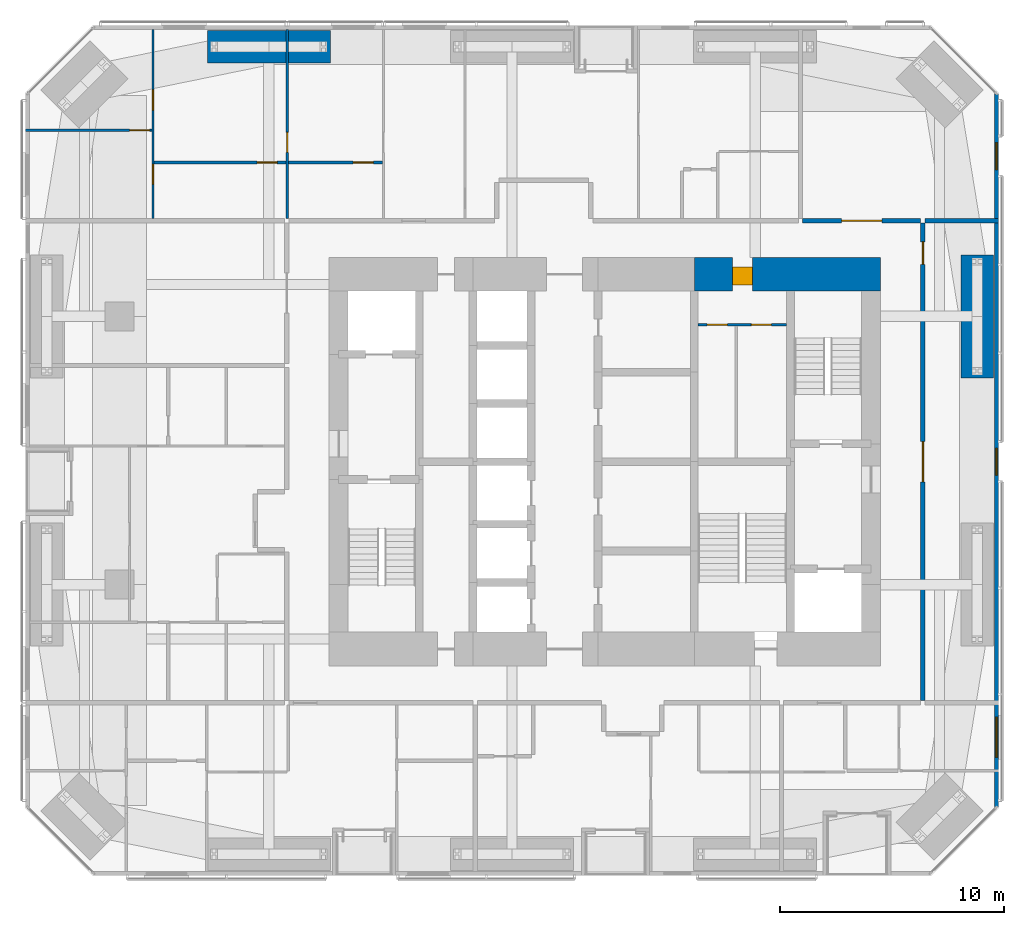
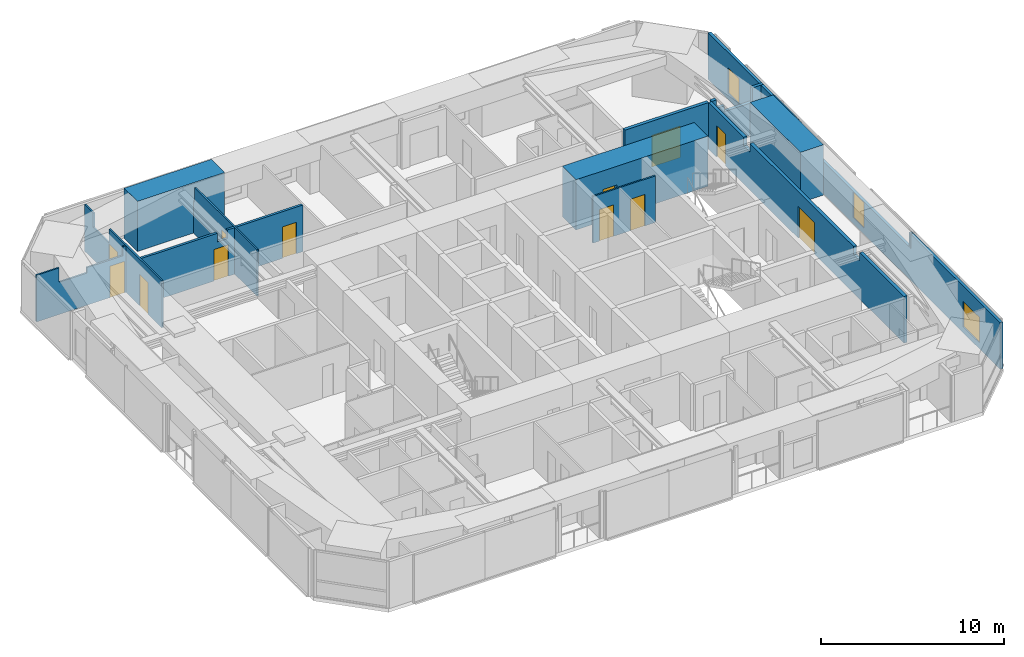
# One storey, part 21 of 23: 13 walls, 12 doors, 3 windows, 15 openings.
"""IFC4 building model written with IfcOpenShell, lengths in metres."""

from ifc_helpers import new_model, si_unit, direction, frame, frame_2d, origin, place, context, subcontext, project, spatial, polyline, rectangle, outline, extrude, material, layer, layer_set, constituent, constituent_set, type_object, element, fill, save


model = new_model("IFC4")

# Units and contexts
model_context = context("Model", 3, precision=1e-05, world=origin(), true_north=direction((0.0, 1.0)))
body_context = subcontext(model_context, "Body", "Model", "MODEL_VIEW")
ifc_project = project(units=[si_unit("LENGTHUNIT", "METRE"), si_unit("AREAUNIT", "SQUARE_METRE"), si_unit("VOLUMEUNIT", "CUBIC_METRE"), si_unit("PLANEANGLEUNIT", "RADIAN"), si_unit("MASSUNIT", "GRAM", prefix="KILO")], contexts=[model_context])

# Site, building, storey
site_placement = place(None, origin())
site = spatial("IfcSite", under=ifc_project, at=site_placement, CompositionType="ELEMENT")
building_placement = place(site_placement, origin())
building = spatial("IfcBuilding", under=site, at=building_placement, Name="Jalousie Tower", CompositionType="ELEMENT")
storey_placement = place(building_placement, frame((0.0, 0.0, 108.199951171875)))
storey = spatial("IfcBuildingStorey", under=building, at=storey_placement, Name="L29", CompositionType="ELEMENT", Elevation=108.199951171875)

# Wall, opening, door
ifc_material_1 = material(Name="Concrete block ASTM C90", Category="concrete")
ifc_constituent_1 = constituent(ifc_material_1, Name="Body")
ifc_material_2 = material(Name="Render")
ifc_constituent_2 = constituent(ifc_material_2, Name="Finish")
ifc_constituent_set_1 = constituent_set(constituents=[ifc_constituent_1, ifc_constituent_2])
wall_type_1 = type_object("IfcWallType", Name="BATHROOM WALL 150", PredefinedType="PLUMBINGWALL", material=ifc_constituent_set_1)
wall_1_placement = place(storey_placement, frame((11.75, 31.875, 0.0), z_axis=(0.0, 0.0, 1.0), x_axis=(1.0, 0.0, 0.0)))
wall_1 = element("IfcWall", 1, at=wall_1_placement, inside=storey, type_object=wall_type_1, Name="Bathroom Wall 150 L29", PredefinedType="PLUMBINGWALL", context=body_context, shape_type="SweptSolid", body=[
    extrude(outline(polyline([(0.0, 0.0), (5.89990234375, 0.0), (5.89990234375, 3.110107421875), (5.4375, 3.110107421875), (5.4375, 2.541015625), (4.8125, 2.541015625), (4.8125, 3.110107421875), (0.0, 3.110107421875), (0.0, 0.0)])), frame((0.0, 0.074951171875, 0.0), z_axis=(0.0, -1.0, 0.0), x_axis=(1.0, 0.0, 0.0)), (0.0, 0.0, 1.0), 0.14990234375),
])
opening_1_placement = place(wall_1_placement, frame((4.60009765625, 0.0, 0.0)))
opening_1 = element("IfcOpeningElement", 2, at=opening_1_placement, cuts=wall_1, Name="Opening D3", PredefinedType="OPENING", context=body_context, shape_type="SweptSolid", body=[
    extrude(rectangle(XDim=0.89990234375, YDim=2.10009765625, at=frame_2d((0.449951171875, 1.050048828125))), frame((0.0, 0.0849609375, 0.0), z_axis=(0.0, -1.0, 0.0), x_axis=(1.0, 0.0, 0.0)), (0.0, 0.0, 1.0), 0.169921875),
])
ifc_material_3 = material(Name="Timber door", Category="wood")
door_type_1 = type_object("IfcDoorType", Name="BATHROOM DOOR 900", OperationType="SINGLE_SWING_LEFT", PredefinedType="DOOR", material=ifc_material_3)
door_1_placement = place(opening_1_placement, frame((0.89990234375, 0.0, 0.0), z_axis=(0.0, 0.0, 1.0), x_axis=(-1.0, 0.0, 0.0)))
door_1 = element("IfcDoor", 3, at=door_1_placement, inside=storey, type_object=door_type_1, Name="Apartment 2904 bedroom 2 bathroom door", OperationType="SINGLE_SWING_LEFT", OverallHeight=2.10009765625, OverallWidth=0.89990234375, PredefinedType="DOOR", context=body_context, shape_type="SweptSolid", body=[
    extrude(rectangle(XDim=0.89990234375, YDim=2.10009765625, at=frame_2d((0.449951171875, 1.050048828125))), frame((0.0, 0.02490234375, 0.0), z_axis=(0.0, -1.0, 0.0), x_axis=(1.0, 0.0, 0.0)), (0.0, 0.0, 1.0), 0.050048828125),
])
fill(opening_1, door_1)

wall_2_placement = place(storey_placement, frame((17.75, 31.875, 0.0), z_axis=(0.0, 0.0, 1.0), x_axis=(1.0, 0.0, 0.0)))
wall_2 = element("IfcWall", 4, at=wall_2_placement, inside=storey, type_object=wall_type_1, Name="Bathroom Wall 150 L29", PredefinedType="PLUMBINGWALL", context=body_context, shape_type="SweptSolid", body=[
    extrude(rectangle(XDim=4.199951171875, YDim=0.14990234375, at=frame_2d((2.10009765625, 0.0))), origin(), (0.0, 0.0, 1.0), 3.110107421875),
])
opening_2_placement = place(wall_2_placement, frame((2.89990234375, 0.0, 0.0)))
opening_2 = element("IfcOpeningElement", 5, at=opening_2_placement, cuts=wall_2, Name="Opening D3", PredefinedType="OPENING", context=body_context, shape_type="SweptSolid", body=[
    extrude(rectangle(XDim=0.89990234375, YDim=2.10009765625, at=frame_2d((0.449951171875, 1.050048828125))), frame((0.0, 0.0849609375, 0.0), z_axis=(0.0, -1.0, 0.0), x_axis=(1.0, 0.0, 0.0)), (0.0, 0.0, 1.0), 0.169921875),
])
door_2_placement = place(opening_2_placement, frame((0.89990234375, 0.0, 0.0), z_axis=(0.0, 0.0, 1.0), x_axis=(-1.0, 0.0, 0.0)))
door_2 = element("IfcDoor", 6, at=door_2_placement, inside=storey, type_object=door_type_1, Name="Apartment 2904 bedroom 3 bathroom door", OperationType="SINGLE_SWING_LEFT", OverallHeight=2.10009765625, OverallWidth=0.89990234375, PredefinedType="DOOR", context=body_context, shape_type="SweptSolid", body=[
    extrude(rectangle(XDim=0.89990234375, YDim=2.10009765625, at=frame_2d((0.449951171875, 1.050048828125))), frame((0.0, 0.02490234375, 0.0), z_axis=(0.0, -1.0, 0.0), x_axis=(1.0, 0.0, 0.0)), (0.0, 0.0, 1.0), 0.050048828125),
])
fill(opening_2, door_2)

ifc_material_4 = material(Name="Concrete f'c 120 MPa", Category="concrete")
ifc_layer_1 = layer(ifc_material_4, 1.5)
ifc_layer_set_1 = layer_set([ifc_layer_1], Name="Concrete f'c 120 MPa")
wall_type_2 = type_object("IfcWallType", Name="CORE WALL 1500", PredefinedType="SHEAR", material=ifc_layer_set_1)
wall_3_placement = place(storey_placement, frame((44.22509765625, 26.875, 0.0), z_axis=(0.0, 0.0, 1.0), x_axis=(-1.0, 0.0, 0.0)))
wall_3 = element("IfcWall", 7, at=wall_3_placement, inside=storey, type_object=wall_type_2, Name="Core wall NA L29", PredefinedType="SHEAR", context=body_context, shape_type="SweptSolid", body=[
    extrude(rectangle(XDim=8.3251953125, YDim=1.5, at=frame_2d((4.16259765625, 0.0))), origin(), (0.0, 0.0, 1.0), 3.35009765625),
])
opening_3_placement = place(wall_3_placement, frame((5.72509765625, 0.0, 0.0)))
opening_3 = element("IfcOpeningElement", 8, at=opening_3_placement, cuts=wall_3, Name="Opening D25", PredefinedType="OPENING", context=body_context, shape_type="SweptSolid", body=[
    extrude(rectangle(XDim=0.89990234375, YDim=2.10009765625, at=frame_2d((0.449951171875, 1.050048828125))), frame((0.0, 0.760009765625, 0.0), z_axis=(0.0, -1.0, 0.0), x_axis=(1.0, 0.0, 0.0)), (0.0, 0.0, 1.0), 1.52001953125),
])
ifc_material_5 = material(Name="Steel fire door", Category="steel")
door_type_2 = type_object("IfcDoorType", Name="SERVICE LOBBY DOOR 900", OperationType="SINGLE_SWING_LEFT", PredefinedType="DOOR", material=ifc_material_5)
door_3_placement = place(opening_3_placement, origin())
door_3 = element("IfcDoor", 9, at=door_3_placement, inside=storey, type_object=door_type_2, Name="Service lobby door", OperationType="SINGLE_SWING_LEFT", OverallHeight=2.10009765625, OverallWidth=0.89990234375, PredefinedType="DOOR", context=body_context, shape_type="SweptSolid", body=[
    extrude(rectangle(XDim=0.89990234375, YDim=2.10009765625, at=frame_2d((0.449951171875, 1.050048828125))), frame((0.0, 0.47021484375, 0.0), z_axis=(0.0, -1.0, 0.0), x_axis=(1.0, 0.0, 0.0)), (0.0, 0.0, 1.0), 0.800048828125),
])
fill(opening_3, door_3)

ifc_material_6 = material(Name="Concrete block ASTM C90", Category="concrete")
ifc_constituent_3 = constituent(ifc_material_6, Name="Body")
ifc_material_7 = material(Name="Render")
ifc_constituent_4 = constituent(ifc_material_7, Name="Finish")
ifc_constituent_set_2 = constituent_set(constituents=[ifc_constituent_3, ifc_constituent_4])
wall_type_3 = type_object("IfcWallType", Name="CORRIDOR WALL 200", PredefinedType="PARTITIONING", material=ifc_constituent_set_2)
wall_4_placement = place(storey_placement, frame((40.75, 29.27490234375, 0.0), z_axis=(0.0, 0.0, 1.0), x_axis=(1.0, 0.0, 0.0)))
wall_4 = element("IfcWall", 10, at=wall_4_placement, inside=storey, type_object=wall_type_3, Name="Corridor Wall 200 L29", PredefinedType="PARTITIONING", context=body_context, shape_type="SweptSolid", body=[
    extrude(rectangle(XDim=5.27490234375, YDim=0.199951171875, at=frame_2d((2.637451171875, 0.0))), origin(), (0.0, 0.0, 1.0), 3.110107421875),
])
opening_4_placement = place(wall_4_placement, frame((1.737548828125, 0.0, 0.0)))
opening_4 = element("IfcOpeningElement", 11, at=opening_4_placement, cuts=wall_4, Name="Opening D22", PredefinedType="OPENING", context=body_context, shape_type="SweptSolid", body=[
    extrude(rectangle(XDim=1.800048828125, YDim=2.10009765625, at=frame_2d((0.89990234375, 1.050048828125))), frame((0.0, 0.10986328125, 0.0), z_axis=(0.0, -1.0, 0.0), x_axis=(1.0, 0.0, 0.0)), (0.0, 0.0, 1.0), 0.219970703125),
])
ifc_material_8 = material(Name="Timber fire door", Category="wood")
door_type_3 = type_object("IfcDoorType", Name="CORRIDOR DOUBLE DOOR 1800", OperationType="DOUBLE_DOOR_SINGLE_SWING", PredefinedType="DOOR", material=ifc_material_8)
door_4_placement = place(opening_4_placement, origin())
door_4 = element("IfcDoor", 12, at=door_4_placement, inside=storey, type_object=door_type_3, Name="Residents' games room door", OperationType="DOUBLE_DOOR_SINGLE_SWING", OverallHeight=2.10009765625, OverallWidth=1.800048828125, PredefinedType="DOOR", context=body_context, shape_type="SweptSolid", body=[
    extrude(rectangle(XDim=1.800048828125, YDim=2.10009765625, at=frame_2d((0.89990234375, 1.050048828125))), frame((0.0, 0.02490234375, 0.0), z_axis=(0.0, -1.0, 0.0), x_axis=(1.0, 0.0, 0.0)), (0.0, 0.0, 1.0), 0.050048828125),
])
fill(opening_4, door_4)

# Wall, openings, doors
wall_5_placement = place(storey_placement, frame((46.125, 7.824951171875, 0.0), z_axis=(0.0, 0.0, 1.0), x_axis=(0.0, 1.0, 0.0)))
wall_5 = element("IfcWall", 13, at=wall_5_placement, inside=storey, type_object=wall_type_3, Name="Corridor Wall 200 L29", PredefinedType="PARTITIONING", context=body_context, shape_type="SweptSolid", body=[
    extrude(outline(polyline([(0.0, 0.0), (21.35009765625, 0.0), (21.35009765625, 3.110107421875), (17.512451171875, 3.110107421875), (17.512451171875, 2.541015625), (16.837646484375, 2.541015625), (16.837646484375, 3.110107421875), (5.51220703125, 3.110107421875), (5.51220703125, 2.541015625), (4.837646484375, 2.541015625), (4.837646484375, 3.110107421875), (0.0, 3.110107421875), (0.0, 0.0)])), frame((0.0, 0.10009765625, 0.0), z_axis=(0.0, -1.0, 0.0), x_axis=(1.0, 0.0, 0.0)), (0.0, 0.0, 1.0), 0.199951171875),
])
opening_5_placement = place(wall_5_placement, frame((9.77490234375, 0.0, 0.0)))
opening_5 = element("IfcOpeningElement", 14, at=opening_5_placement, cuts=wall_5, Name="Opening D22", PredefinedType="OPENING", context=body_context, shape_type="SweptSolid", body=[
    extrude(rectangle(XDim=1.800048828125, YDim=2.10009765625, at=frame_2d((0.89990234375, 1.050048828125))), frame((0.0, 0.10986328125, 0.0), z_axis=(0.0, -1.0, 0.0), x_axis=(1.0, 0.0, 0.0)), (0.0, 0.0, 1.0), 0.219970703125),
])
opening_6_placement = place(wall_5_placement, frame((19.5, 0.0, 0.0)))
opening_6 = element("IfcOpeningElement", 15, at=opening_6_placement, cuts=wall_5, Name="Opening D21", PredefinedType="OPENING", context=body_context, shape_type="SweptSolid", body=[
    extrude(rectangle(XDim=1.0, YDim=2.10009765625, at=frame_2d((0.5, 1.050048828125))), frame((0.0, 0.10986328125, 0.0), z_axis=(0.0, -1.0, 0.0), x_axis=(1.0, 0.0, 0.0)), (0.0, 0.0, 1.0), 0.219970703125),
])
ifc_material_9 = material(Name="Timber fire door", Category="wood")
door_type_4 = type_object("IfcDoorType", Name="CORRIDOR DOOR 1000", OperationType="SINGLE_SWING_LEFT", PredefinedType="DOOR", material=ifc_material_9)
door_5_placement = place(opening_6_placement, frame((1.0, 0.0, 0.0), z_axis=(0.0, 0.0, 1.0), x_axis=(-1.0, 0.0, 0.0)))
door_5 = element("IfcDoor", 16, at=door_5_placement, inside=storey, type_object=door_type_4, Name="Lounge second door", OperationType="SINGLE_SWING_LEFT", OverallHeight=2.10009765625, OverallWidth=1.0, PredefinedType="DOOR", context=body_context, shape_type="SweptSolid", body=[
    extrude(rectangle(XDim=1.0, YDim=2.10009765625, at=frame_2d((0.5, 1.050048828125))), frame((0.0, 0.02490234375, 0.0), z_axis=(0.0, -1.0, 0.0), x_axis=(1.0, 0.0, 0.0)), (0.0, 0.0, 1.0), 0.050048828125),
])
fill(opening_6, door_5)
door_6_placement = place(opening_5_placement, frame((1.800048828125, 0.0, 0.0), z_axis=(0.0, 0.0, 1.0), x_axis=(-1.0, 0.0, 0.0)))
door_6 = element("IfcDoor", 17, at=door_6_placement, inside=storey, type_object=door_type_3, Name="Lounge door", OperationType="DOUBLE_DOOR_SINGLE_SWING", OverallHeight=2.10009765625, OverallWidth=1.800048828125, PredefinedType="DOOR", context=body_context, shape_type="SweptSolid", body=[
    extrude(rectangle(XDim=1.800048828125, YDim=2.10009765625, at=frame_2d((0.89990234375, 1.050048828125))), frame((0.0, 0.02490234375, 0.0), z_axis=(0.0, -1.0, 0.0), x_axis=(1.0, 0.0, 0.0)), (0.0, 0.0, 1.0), 0.050048828125),
])
fill(opening_5, door_6)

# Wall, openings, windows
ifc_material_10 = material(Name="Concrete f'c 40 MPa", Category="concrete")
ifc_constituent_5 = constituent(ifc_material_10, Name="Body")
ifc_material_11 = material(Name="Render, pastel sea green")
ifc_constituent_6 = constituent(ifc_material_11, Name="Finish")
ifc_constituent_set_3 = constituent_set(constituents=[ifc_constituent_5, ifc_constituent_6])
wall_type_4 = type_object("IfcWallType", Name="EXTERNAL WALL 175 SEA GREEN RENDER", PredefinedType="SOLIDWALL", material=ifc_constituent_set_3)
wall_6_placement = place(storey_placement, frame((49.41259765625, 3.05126953125, 0.0), z_axis=(0.0, 0.0, 1.0), x_axis=(0.0, 1.0, 0.0)))
wall_6 = element("IfcWall", 18, at=wall_6_placement, inside=storey, type_object=wall_type_4, Name="External Wall 175 Sea Green Render L29", PredefinedType="SOLIDWALL", context=body_context, shape_type="SweptSolid", body=[
    extrude(outline(polyline([(0.0, 0.0), (31.8974609375, 0.0), (31.8974609375, 3.110107421875), (22.167236328125, 3.110107421875), (22.167236328125, 2.150146484375), (22.074462890625, 2.150146484375), (22.074462890625, 3.110107421875), (21.94873046875, 3.110107421875), (21.94873046875, 2.150146484375), (9.94873046875, 2.150146484375), (9.94873046875, 3.110107421875), (9.822998046875, 3.110107421875), (9.822998046875, 2.150146484375), (9.72998046875, 2.150146484375), (9.72998046875, 3.110107421875), (0.0, 3.110107421875), (0.0, 0.0)])), frame((0.0, 0.08740234375, 0.0), z_axis=(0.0, -1.0, 0.0), x_axis=(1.0, 0.0, 0.0)), (0.0, 0.0, 1.0), 0.175048828125),
])
opening_7_placement = place(wall_6_placement, frame((2.22412109375, 0.0, 0.39990234375)))
opening_7 = element("IfcOpeningElement", 19, at=opening_7_placement, cuts=wall_6, Name="Opening W-BED170", PredefinedType="OPENING", context=body_context, shape_type="SweptSolid", body=[
    extrude(rectangle(XDim=1.800048828125, YDim=1.699951171875, at=frame_2d((0.89990234375, 0.85009765625))), frame((0.0, 0.097412109375, 0.0), z_axis=(0.0, -1.0, 0.0), x_axis=(1.0, 0.0, 0.0)), (0.0, 0.0, 1.0), 0.195068359375),
])
opening_8_placement = place(wall_6_placement, frame((14.8486328125, 0.0, 0.39990234375)))
opening_8 = element("IfcOpeningElement", 20, at=opening_8_placement, cuts=wall_6, Name="Opening W-COR170", PredefinedType="OPENING", context=body_context, shape_type="SweptSolid", body=[
    extrude(rectangle(XDim=1.199951171875, YDim=1.699951171875, at=frame_2d((0.60009765625, 0.85009765625))), frame((0.0, 0.097412109375, 0.0), z_axis=(0.0, -1.0, 0.0), x_axis=(1.0, 0.0, 0.0)), (0.0, 0.0, 1.0), 0.195068359375),
])
opening_9_placement = place(wall_6_placement, frame((28.510498046875, 0.0, 0.39990234375)))
opening_9 = element("IfcOpeningElement", 21, at=opening_9_placement, cuts=wall_6, Name="Opening W-COR170", PredefinedType="OPENING", context=body_context, shape_type="SweptSolid", body=[
    extrude(rectangle(XDim=1.199951171875, YDim=1.699951171875, at=frame_2d((0.60009765625, 0.85009765625))), frame((0.0, 0.097412109375, 0.0), z_axis=(0.0, -1.0, 0.0), x_axis=(1.0, 0.0, 0.0)), (0.0, 0.0, 1.0), 0.195068359375),
])
ifc_material_12 = material(Name="Aluminium frame, impact-rated glazing", Category="aluminium")
window_type_1 = type_object("IfcWindowType", Name="WINDOW BED 1800x1700", PartitioningType="SINGLE_PANEL", PredefinedType="WINDOW", material=ifc_material_12)
window_1_placement = place(opening_7_placement, origin())
window_1 = element("IfcWindow", 22, at=window_1_placement, inside=storey, type_object=window_type_1, Name="Apartment 2903 bedroom 1 window", OverallHeight=1.699951171875, OverallWidth=1.800048828125, PartitioningType="SINGLE_PANEL", PredefinedType="WINDOW", context=body_context, shape_type="SweptSolid", body=[
    extrude(rectangle(XDim=1.800048828125, YDim=1.699951171875, at=frame_2d((0.89990234375, 0.85009765625))), frame((0.0, 0.030029296875, 0.0), z_axis=(0.0, -1.0, 0.0), x_axis=(1.0, 0.0, 0.0)), (0.0, 0.0, 1.0), 0.06005859375),
])
fill(opening_7, window_1)
ifc_material_13 = material(Name="Aluminium frame, impact-rated glazing", Category="aluminium")
window_type_2 = type_object("IfcWindowType", Name="WINDOW COR 1200x1700", PartitioningType="SINGLE_PANEL", PredefinedType="WINDOW", material=ifc_material_13)
window_2_placement = place(opening_8_placement, origin())
window_2 = element("IfcWindow", 23, at=window_2_placement, inside=storey, type_object=window_type_2, Name="Residents' lounge window", OverallHeight=1.699951171875, OverallWidth=1.199951171875, PartitioningType="SINGLE_PANEL", PredefinedType="WINDOW", context=body_context, shape_type="SweptSolid", body=[
    extrude(rectangle(XDim=1.199951171875, YDim=1.699951171875, at=frame_2d((0.60009765625, 0.85009765625))), frame((0.0, 0.030029296875, 0.0), z_axis=(0.0, -1.0, 0.0), x_axis=(1.0, 0.0, 0.0)), (0.0, 0.0, 1.0), 0.06005859375),
])
fill(opening_8, window_2)
window_3_placement = place(opening_9_placement, origin())
window_3 = element("IfcWindow", 24, at=window_3_placement, inside=storey, type_object=window_type_2, Name="Residents' games room window", OverallHeight=1.699951171875, OverallWidth=1.199951171875, PartitioningType="SINGLE_PANEL", PredefinedType="WINDOW", context=body_context, shape_type="SweptSolid", body=[
    extrude(rectangle(XDim=1.199951171875, YDim=1.699951171875, at=frame_2d((0.60009765625, 0.85009765625))), frame((0.0, 0.030029296875, 0.0), z_axis=(0.0, -1.0, 0.0), x_axis=(1.0, 0.0, 0.0)), (0.0, 0.0, 1.0), 0.06005859375),
])
fill(opening_9, window_3)

# Wall, openings, doors
ifc_material_14 = material(Name="Gypsum board", Category="gypsum")
ifc_constituent_7 = constituent(ifc_material_14, Name="Body")
ifc_material_15 = material(Name="Light-gauge steel studs ASTM A653 SS Grade 33", Category="steel")
ifc_constituent_8 = constituent(ifc_material_15, Name="Framing")
ifc_constituent_set_4 = constituent_set(constituents=[ifc_constituent_7, ifc_constituent_8])
wall_type_5 = type_object("IfcWallType", Name="PARTITION 100", PredefinedType="PARTITIONING", material=ifc_constituent_set_4)
wall_7_placement = place(storey_placement, frame((11.699951171875, 37.824951171875, 0.0), z_axis=(0.0, 0.0, 1.0), x_axis=(0.0, -1.0, 0.0)))
wall_7 = element("IfcWall", 25, at=wall_7_placement, inside=storey, type_object=wall_type_5, Name="Partition 100 L29", PredefinedType="PARTITIONING", context=body_context, shape_type="SweptSolid", body=[
    extrude(outline(polyline([(0.0, 0.0), (8.449951171875, 0.0), (8.449951171875, 3.110107421875), (2.708251953125, 3.110107421875), (2.708251953125, 2.150146484375), (0.952880859375, 2.150146484375), (0.952880859375, 3.110107421875), (0.0, 3.110107421875), (0.0, 0.0)])), frame((0.0, 0.050048828125, 0.0), z_axis=(0.0, -1.0, 0.0), x_axis=(1.0, 0.0, 0.0)), (0.0, 0.0, 1.0), 0.10009765625),
])
opening_10_placement = place(wall_7_placement, frame((2.700927734375, 0.0, 0.0)))
opening_10 = element("IfcOpeningElement", 26, at=opening_10_placement, cuts=wall_7, Name="Opening D2", PredefinedType="OPENING", context=body_context, shape_type="SweptSolid", body=[
    extrude(rectangle(XDim=0.89990234375, YDim=2.10009765625, at=frame_2d((0.449951171875, 1.050048828125))), frame((0.0, 0.06005859375, 0.0), z_axis=(0.0, -1.0, 0.0), x_axis=(1.0, 0.0, 0.0)), (0.0, 0.0, 1.0), 0.1201171875),
])
opening_11_placement = place(wall_7_placement, frame((6.025390625, 0.0, 0.0)))
opening_11 = element("IfcOpeningElement", 27, at=opening_11_placement, cuts=wall_7, Name="Opening D3", PredefinedType="OPENING", context=body_context, shape_type="SweptSolid", body=[
    extrude(rectangle(XDim=0.89990234375, YDim=2.10009765625, at=frame_2d((0.449951171875, 1.050048828125))), frame((0.0, 0.06005859375, 0.0), z_axis=(0.0, -1.0, 0.0), x_axis=(1.0, 0.0, 0.0)), (0.0, 0.0, 1.0), 0.1201171875),
])
door_7_placement = place(opening_11_placement, origin())
door_7 = element("IfcDoor", 28, at=door_7_placement, inside=storey, type_object=door_type_1, Name="Apartment 2904 bedroom 1 bathroom door", OperationType="SINGLE_SWING_LEFT", OverallHeight=2.10009765625, OverallWidth=0.89990234375, PredefinedType="DOOR", context=body_context, shape_type="SweptSolid", body=[
    extrude(rectangle(XDim=0.89990234375, YDim=2.10009765625, at=frame_2d((0.449951171875, 1.050048828125))), frame((0.0, 0.02490234375, 0.0), z_axis=(0.0, -1.0, 0.0), x_axis=(1.0, 0.0, 0.0)), (0.0, 0.0, 1.0), 0.050048828125),
])
fill(opening_11, door_7)
ifc_material_16 = material(Name="Timber door", Category="wood")
door_type_5 = type_object("IfcDoorType", Name="BEDROOM DOOR 900", OperationType="SINGLE_SWING_LEFT", PredefinedType="DOOR", material=ifc_material_16)
door_8_placement = place(opening_10_placement, origin())
door_8 = element("IfcDoor", 29, at=door_8_placement, inside=storey, type_object=door_type_5, Name="Apartment 2904 bedroom 1 door", OperationType="SINGLE_SWING_RIGHT", OverallHeight=2.10009765625, OverallWidth=0.89990234375, PredefinedType="DOOR", context=body_context, shape_type="SweptSolid", body=[
    extrude(rectangle(XDim=0.89990234375, YDim=2.10009765625, at=frame_2d((0.449951171875, 1.050048828125))), frame((0.0, 0.02490234375, 0.0), z_axis=(0.0, -1.0, 0.0), x_axis=(1.0, 0.0, 0.0)), (0.0, 0.0, 1.0), 0.050048828125),
])
fill(opening_10, door_8)

# Wall, opening, door
wall_8_placement = place(storey_placement, frame((17.699951171875, 37.824951171875, 0.0), z_axis=(0.0, 0.0, 1.0), x_axis=(0.0, -1.0, 0.0)))
wall_8 = element("IfcWall", 30, at=wall_8_placement, inside=storey, type_object=wall_type_5, Name="Partition 100 L29", PredefinedType="PARTITIONING", context=body_context, shape_type="SweptSolid", body=[
    extrude(outline(polyline([(1.635009765625, 2.150146484375), (0.0, 2.150146484375), (0.0, 0.0), (8.449951171875, 0.0), (8.449951171875, 3.110107421875), (1.635009765625, 3.110107421875), (1.635009765625, 2.150146484375)]), holes=[polyline([(1.021240234375, 0.115966796875), (0.52880859375, 0.115966796875), (0.52880859375, 0.906005859375), (1.021240234375, 0.906005859375), (1.021240234375, 0.115966796875)]), polyline([(1.021240234375, 1.244140625), (0.52880859375, 1.244140625), (0.52880859375, 2.033935546875), (1.021240234375, 2.033935546875), (1.021240234375, 1.244140625)])]), frame((0.0, 0.050048828125, 0.0), z_axis=(0.0, -1.0, 0.0), x_axis=(1.0, 0.0, 0.0)), (0.0, 0.0, 1.0), 0.10009765625),
])
opening_12_placement = place(wall_8_placement, frame((4.60009765625, 0.0, 0.0)))
opening_12 = element("IfcOpeningElement", 31, at=opening_12_placement, cuts=wall_8, Name="Opening D2", PredefinedType="OPENING", context=body_context, shape_type="SweptSolid", body=[
    extrude(rectangle(XDim=0.89990234375, YDim=2.10009765625, at=frame_2d((0.449951171875, 1.050048828125))), frame((0.0, 0.06005859375, 0.0), z_axis=(0.0, -1.0, 0.0), x_axis=(1.0, 0.0, 0.0)), (0.0, 0.0, 1.0), 0.1201171875),
])
door_9_placement = place(opening_12_placement, frame((0.89990234375, 0.0, 0.0), z_axis=(0.0, 0.0, 1.0), x_axis=(-1.0, 0.0, 0.0)))
door_9 = element("IfcDoor", 32, at=door_9_placement, inside=storey, type_object=door_type_5, Name="Apartment 2904 bedroom 2 door", OperationType="SINGLE_SWING_LEFT", OverallHeight=2.10009765625, OverallWidth=0.89990234375, PredefinedType="DOOR", context=body_context, shape_type="SweptSolid", body=[
    extrude(rectangle(XDim=0.89990234375, YDim=2.10009765625, at=frame_2d((0.449951171875, 1.050048828125))), frame((0.0, 0.02490234375, 0.0), z_axis=(0.0, -1.0, 0.0), x_axis=(1.0, 0.0, 0.0)), (0.0, 0.0, 1.0), 0.050048828125),
])
fill(opening_12, door_9)

wall_9_placement = place(storey_placement, frame((6.0, 33.32421875, 0.0), z_axis=(0.0, 0.0, 1.0), x_axis=(1.0, 0.0, 0.0)))
wall_9 = element("IfcWall", 33, at=wall_9_placement, inside=storey, type_object=wall_type_5, Name="Partition 100 L29", PredefinedType="PARTITIONING", context=body_context, shape_type="SweptSolid", body=[
    extrude(outline(polyline([(0.0, 0.0), (5.64990234375, 0.0), (5.64990234375, 3.110107421875), (5.4599609375, 3.110107421875), (5.4599609375, 2.510009765625), (3.171142578125, 2.510009765625), (3.171142578125, 2.150146484375), (1.4287109375, 2.150146484375), (1.4287109375, 3.110107421875), (0.0, 3.110107421875), (0.0, 0.0)])), frame((0.0, 0.050048828125, 0.0), z_axis=(0.0, -1.0, 0.0), x_axis=(1.0, 0.0, 0.0)), (0.0, 0.0, 1.0), 0.10009765625),
])
opening_13_placement = place(wall_9_placement, frame((4.64990234375, 0.0, 0.0)))
opening_13 = element("IfcOpeningElement", 34, at=opening_13_placement, cuts=wall_9, Name="Opening D7", PredefinedType="OPENING", context=body_context, shape_type="SweptSolid", body=[
    extrude(rectangle(XDim=0.89990234375, YDim=2.10009765625, at=frame_2d((0.449951171875, 1.050048828125))), frame((0.0, 0.06005859375, 0.0), z_axis=(0.0, -1.0, 0.0), x_axis=(1.0, 0.0, 0.0)), (0.0, 0.0, 1.0), 0.1201171875),
])
ifc_material_17 = material(Name="Timber door", Category="wood")
door_type_6 = type_object("IfcDoorType", Name="INTERNAL DOOR 900", OperationType="SINGLE_SWING_LEFT", PredefinedType="DOOR", material=ifc_material_17)
door_10_placement = place(opening_13_placement, frame((0.89990234375, 0.0, 0.0), z_axis=(0.0, 0.0, 1.0), x_axis=(-1.0, 0.0, 0.0)))
door_10 = element("IfcDoor", 35, at=door_10_placement, inside=storey, type_object=door_type_6, Name="Apartment 2904 bedroom 1 dressing hall door", OperationType="SINGLE_SWING_LEFT", OverallHeight=2.10009765625, OverallWidth=0.89990234375, PredefinedType="DOOR", context=body_context, shape_type="SweptSolid", body=[
    extrude(rectangle(XDim=0.89990234375, YDim=2.10009765625, at=frame_2d((0.449951171875, 1.050048828125))), frame((0.0, 0.02490234375, 0.0), z_axis=(0.0, -1.0, 0.0), x_axis=(1.0, 0.0, 0.0)), (0.0, 0.0, 1.0), 0.050048828125),
])
fill(opening_13, door_10)

# Wall, openings, doors
wall_10_placement = place(storey_placement, frame((36.074951171875, 24.625, 0.0), z_axis=(0.0, 0.0, 1.0), x_axis=(1.0, 0.0, 0.0)))
wall_10 = element("IfcWall", 36, at=wall_10_placement, inside=storey, type_object=wall_type_5, Name="Partition 100 L29", PredefinedType="PARTITIONING", context=body_context, shape_type="SweptSolid", body=[
    extrude(rectangle(XDim=3.949951171875, YDim=0.10009765625, at=frame_2d((1.97509765625, 0.0))), origin(), (0.0, 0.0, 1.0), 3.110107421875),
])
opening_14_placement = place(wall_10_placement, frame((0.39990234375, 0.0, 0.0)))
opening_14 = element("IfcOpeningElement", 37, at=opening_14_placement, cuts=wall_10, Name="Opening D7", PredefinedType="OPENING", context=body_context, shape_type="SweptSolid", body=[
    extrude(rectangle(XDim=0.89990234375, YDim=2.10009765625, at=frame_2d((0.449951171875, 1.050048828125))), frame((0.0, 0.06005859375, 0.0), z_axis=(0.0, -1.0, 0.0), x_axis=(1.0, 0.0, 0.0)), (0.0, 0.0, 1.0), 0.1201171875),
])
opening_15_placement = place(wall_10_placement, frame((2.375, 0.0, 0.0)))
opening_15 = element("IfcOpeningElement", 38, at=opening_15_placement, cuts=wall_10, Name="Opening D7", PredefinedType="OPENING", context=body_context, shape_type="SweptSolid", body=[
    extrude(rectangle(XDim=0.89990234375, YDim=2.10009765625, at=frame_2d((0.449951171875, 1.050048828125))), frame((0.0, 0.06005859375, 0.0), z_axis=(0.0, -1.0, 0.0), x_axis=(1.0, 0.0, 0.0)), (0.0, 0.0, 1.0), 0.1201171875),
])
door_11_placement = place(opening_14_placement, frame((0.89990234375, 0.0, 0.0), z_axis=(0.0, 0.0, 1.0), x_axis=(-1.0, 0.0, 0.0)))
door_11 = element("IfcDoor", 39, at=door_11_placement, inside=storey, type_object=door_type_6, Name="Staff WC door", OperationType="SINGLE_SWING_LEFT", OverallHeight=2.10009765625, OverallWidth=0.89990234375, PredefinedType="DOOR", context=body_context, shape_type="SweptSolid", body=[
    extrude(rectangle(XDim=0.89990234375, YDim=2.10009765625, at=frame_2d((0.449951171875, 1.050048828125))), frame((0.0, 0.02490234375, 0.0), z_axis=(0.0, -1.0, 0.0), x_axis=(1.0, 0.0, 0.0)), (0.0, 0.0, 1.0), 0.050048828125),
])
fill(opening_14, door_11)
door_12_placement = place(opening_15_placement, frame((0.89990234375, 0.0, 0.0), z_axis=(0.0, 0.0, 1.0), x_axis=(-1.0, 0.0, 0.0)))
door_12 = element("IfcDoor", 40, at=door_12_placement, inside=storey, type_object=door_type_6, Name="Pantry door", OperationType="SINGLE_SWING_RIGHT", OverallHeight=2.10009765625, OverallWidth=0.89990234375, PredefinedType="DOOR", context=body_context, shape_type="SweptSolid", body=[
    extrude(rectangle(XDim=0.89990234375, YDim=2.10009765625, at=frame_2d((0.449951171875, 1.050048828125))), frame((0.0, 0.02490234375, 0.0), z_axis=(0.0, -1.0, 0.0), x_axis=(1.0, 0.0, 0.0)), (0.0, 0.0, 1.0), 0.050048828125),
])
fill(opening_15, door_12)

# Walls
ifc_material_18 = material(Name="Concrete block ASTM C90", Category="concrete")
ifc_constituent_9 = constituent(ifc_material_18, Name="Body")
ifc_material_19 = material(Name="Render")
ifc_constituent_10 = constituent(ifc_material_19, Name="Finish")
ifc_constituent_set_5 = constituent_set(constituents=[ifc_constituent_9, ifc_constituent_10])
wall_type_6 = type_object("IfcWallType", Name="PARTY WALL 200", PredefinedType="PARTITIONING", material=ifc_constituent_set_5)
wall_11_placement = place(storey_placement, frame((46.22509765625, 29.27490234375, 0.0), z_axis=(0.0, 0.0, 1.0), x_axis=(1.0, 0.0, 0.0)))
element("IfcWall", 41, at=wall_11_placement, inside=storey, type_object=wall_type_6, Name="Party Wall 200 L29", PredefinedType="PARTITIONING", context=body_context, shape_type="SweptSolid", body=[
    extrude(outline(polyline([(0.0, 0.0), (3.27490234375, 0.0), (3.27490234375, 3.110107421875), (2.5537109375, 3.110107421875), (2.5537109375, 2.150146484375), (0.80517578125, 2.150146484375), (0.80517578125, 2.541015625), (0.30615234375, 2.541015625), (0.30615234375, 3.110107421875), (0.0, 3.110107421875), (0.0, 0.0)])), frame((0.0, 0.10009765625, 0.0), z_axis=(0.0, -1.0, 0.0), x_axis=(1.0, 0.0, 0.0)), (0.0, 0.0, 1.0), 0.199951171875),
])
ifc_material_20 = material(Name="Concrete f'c 120 MPa", Category="concrete")
ifc_layer_2 = layer(ifc_material_20, 1.449951171875)
ifc_layer_set_2 = layer_set([ifc_layer_2], Name="Concrete f'c 120 MPa")
wall_type_7 = type_object("IfcWallType", Name="RC WALL PIER 1450", PredefinedType="SHEAR", material=ifc_layer_set_2)
for number, where, z_axis, x_axis, name in (
    (42, (48.550048828125, 22.25, 0.0), (0.0, 0.0, 1.0), (0.0, 1.0, 0.0), "Wall pier 07 L29"),
    (43, (14.125, 37.050048828125, 0.0), (0.0, 0.0, 1.0), (1.0, 0.0, 0.0), "Wall pier 11 L29"),
):
    element("IfcWall", number, at=place(storey_placement, frame(where, z_axis=z_axis, x_axis=x_axis)), inside=storey, type_object=wall_type_7, Name=name, PredefinedType="SHEAR", context=body_context, shape_type="SweptSolid", body=[
        extrude(rectangle(XDim=5.5, YDim=1.449951171875, at=frame_2d((2.75, 0.0))), origin(), (0.0, 0.0, 1.0), 3.35009765625),
    ])

save(model, "model.ifc")
